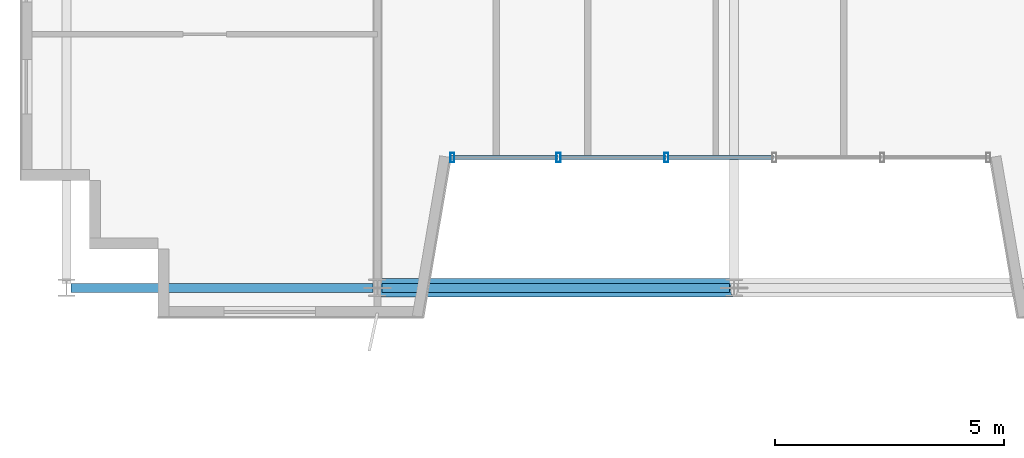
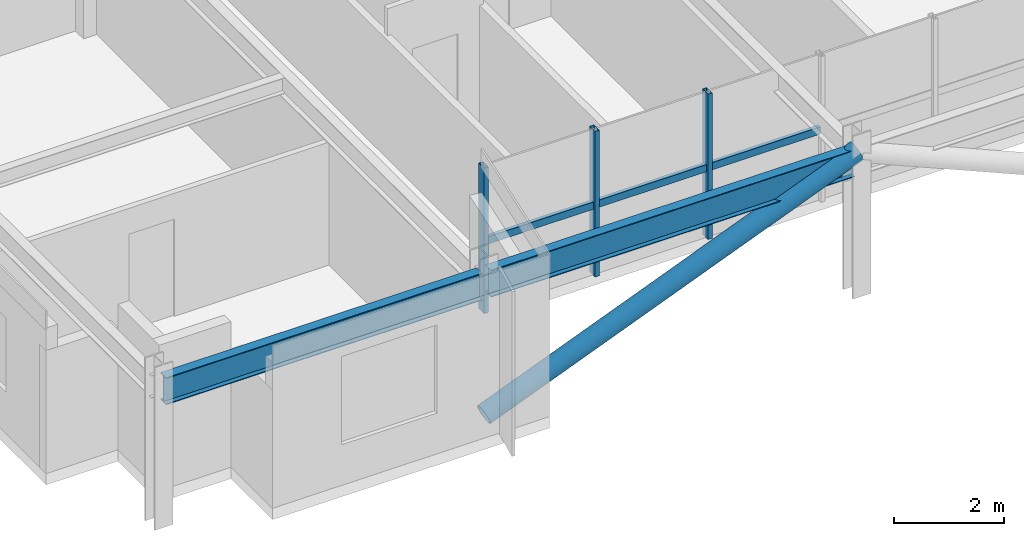
# One storey, part 3 of 24: 7 members, 2 beams, 1 element without a shape of its own.
"""IFC4 building model written with IfcOpenShell, lengths in metres."""

from ifc_helpers import new_model, si_unit, direction, frame, origin, origin_2d, place, context, subcontext, project, spatial, hollow_rectangle, hollow_circle, i_section, extrude, source, transform, mapped, material, material_profile, profile_set, type_object, element, aggregate, save


model = new_model("IFC4")

# Units and contexts
model_context = context("Model", 3, precision=1e-05, world=origin(), true_north=direction((0.0, 1.0)))
body_context = subcontext(model_context, "Body", "Model", "MODEL_VIEW")
ifc_project = project(units=[si_unit("LENGTHUNIT", "METRE"), si_unit("AREAUNIT", "SQUARE_METRE"), si_unit("VOLUMEUNIT", "CUBIC_METRE"), si_unit("PLANEANGLEUNIT", "RADIAN"), si_unit("MASSUNIT", "GRAM", prefix="KILO")], contexts=[model_context])

# Site, building, storey
site_placement = place(None, origin())
site = spatial("IfcSite", under=ifc_project, at=site_placement, CompositionType="ELEMENT")
building_placement = place(site_placement, origin())
building = spatial("IfcBuilding", under=site, at=building_placement, Name="Trelvane Seafront Commons", CompositionType="ELEMENT")
storey_placement = place(building_placement, frame((0.0, 0.0, 178.89990234375)))
storey = spatial("IfcBuildingStorey", under=building, at=storey_placement, Name="L47", CompositionType="ELEMENT", Elevation=178.89990234375)

# Beams
ifc_material_1 = material(Name="Steel SM355 (S355)", Category="steel")
ifc_material_profile_1 = material_profile(ifc_material_1, i_section(OverallWidth=0.199951171875, OverallDepth=0.60009765625, WebThickness=0.010986328125, FlangeThickness=0.01708984375, at=origin_2d()), Name="H-600x200x11x17")
ifc_profile_set_1 = profile_set([ifc_material_profile_1], Name="Steel SM355 (S355)")
beam_type = type_object("IfcBeamType", Name="STR-SPD-H600", PredefinedType="SPANDREL", material=ifc_profile_set_1)
shared_shape_1 = source(origin(), body_context, "Body", "SweptSolid", [
    extrude(i_section(OverallWidth=0.199951171875, OverallDepth=0.60009765625, WebThickness=0.010986328125, FlangeThickness=0.01708984375, at=origin_2d()), origin(), (0.0, 0.0, 1.0), 6.60986328125),
])
beam_1_placement = place(storey_placement, frame((8.89501953125, 3.949951171875, 2.920166015625), z_axis=(1.0, 0.0, 0.0), x_axis=(0.0, 1.0, 0.0)))
element("IfcBeam", 1, at=beam_1_placement, inside=storey, type_object=beam_type, Name="L47 Primary Girder G-01", PredefinedType="SPANDREL", context=body_context, shape_type="MappedRepresentation", body=[
    mapped(shared_shape_1, transform((0.0, 0.0, 0.0), x_axis=(1.0, 0.0, 0.0), y_axis=(0.0, 1.0, 0.0), z_axis=(0.0, 0.0, 1.0), scale=1.0)),
])
shared_shape_2 = source(origin(), body_context, "Body", "SweptSolid", [
    extrude(i_section(OverallWidth=0.199951171875, OverallDepth=0.60009765625, WebThickness=0.010986328125, FlangeThickness=0.01708984375, at=origin_2d()), origin(), (0.0, 0.0, 1.0), 7.60986328125),
])
beam_2_placement = place(storey_placement, frame((15.695068359375, 3.949951171875, 2.920166015625), z_axis=(1.0, 0.0, 0.0), x_axis=(0.0, 1.0, 0.0)))
element("IfcBeam", 2, at=beam_2_placement, inside=storey, type_object=beam_type, Name="L47 Primary Girder G-02", PredefinedType="SPANDREL", context=body_context, shape_type="MappedRepresentation", body=[
    mapped(shared_shape_2, transform((0.0, 0.0, 0.0), x_axis=(1.0, 0.0, 0.0), y_axis=(0.0, 1.0, 0.0), z_axis=(0.0, 0.0, 1.0), scale=1.0)),
])

# Member
ifc_material_profile_2 = material_profile(ifc_material_1, hollow_circle(Radius=0.203125, WallThickness=0.01611328125, at=origin_2d()), Name="CHS-406.4x16")
ifc_profile_set_2 = profile_set([ifc_material_profile_2], Name="Steel SM355 (S355)")
member_type_1 = type_object("IfcMemberType", Name="STR-STR-CHS406", PredefinedType="STRUT", material=ifc_profile_set_2)
shared_shape_3 = source(origin(), body_context, "Body", "SweptSolid", [
    extrude(hollow_circle(Radius=0.203125, WallThickness=0.01611328125, at=origin_2d()), origin(), (0.0, 0.0, 1.0), 8.393310546875),
])
member_1_placement = place(storey_placement, frame((15.60009765625, 3.949951171875, 0.0), z_axis=(0.92928890957, 0.0, 0.369353655118), x_axis=(0.0, 1.0, 0.0)))
element("IfcMember", 3, at=member_1_placement, inside=storey, type_object=member_type_1, Name="L47 Sky-Garden V-Chevron Brace SGV-W", PredefinedType="STRUT", context=body_context, shape_type="MappedRepresentation", body=[
    mapped(shared_shape_3, transform((0.0, 0.0, 0.0), x_axis=(1.0, 0.0, 0.0), y_axis=(0.0, 1.0, 0.0), z_axis=(0.0, 0.0, 1.0), scale=1.0)),
])

# Curtain wall, members
ifc_material_2 = material(Name="Anodised pale-silver aluminium", Category="aluminium")
curtain_wall_type = type_object("IfcCurtainWallType", Name="ARCH-CW3-PORTAL", PredefinedType="NOTDEFINED", material=ifc_material_2)
curtain_wall_placement = place(storey_placement, origin())
curtain_wall = element("IfcCurtainWall", 4, at=curtain_wall_placement, inside=storey, type_object=curtain_wall_type, Name="CW-L47-VN-0076", PredefinedType="NOTDEFINED")
ifc_material_profile_3 = material_profile(ifc_material_2, hollow_rectangle(XDim=0.080078125, YDim=0.159912109375, WallThickness=0.00439453125, at=origin_2d()), Name="TRAN-80x160x4.5")
ifc_profile_set_3 = profile_set([ifc_material_profile_3], Name="Anodised pale-silver aluminium")
member_type_2 = type_object("IfcMemberType", Name="ARCH-CW-TRAN-160", PredefinedType="USERDEFINED", material=ifc_profile_set_3)
shared_shape_4 = source(origin(), body_context, "Body", "SweptSolid", [
    extrude(hollow_rectangle(XDim=0.080078125, YDim=0.159912109375, WallThickness=0.00439453125, at=origin_2d()), origin(), (0.0, 0.0, 1.0), 2.3359375),
])
member_2_placement = place(storey_placement, frame((21.907958984375, 6.800048828125, 1.546142578125), z_axis=(-1.0, 0.0, 0.0), x_axis=(0.0, -1.0, 0.0)))
member_2 = element("IfcMember", 5, at=member_2_placement, type_object=member_type_2, Name="CW-L47-VN-0076-T03", ObjectType="TRANSOM", PredefinedType="USERDEFINED", context=body_context, shape_type="MappedRepresentation", body=[
    mapped(shared_shape_4, transform((0.0, 0.0, 0.0), x_axis=(1.0, 0.0, 0.0), y_axis=(0.0, 1.0, 0.0), z_axis=(0.0, 0.0, 1.0), scale=1.0)),
])
shared_shape_5 = source(origin(), body_context, "Body", "SweptSolid", [
    extrude(hollow_rectangle(XDim=0.080078125, YDim=0.159912109375, WallThickness=0.00439453125, at=origin_2d()), origin(), (0.0, 0.0, 1.0), 2.336181640625),
])
member_3_placement = place(storey_placement, frame((24.26806640625, 6.800048828125, 1.546142578125), z_axis=(-1.0, 0.0, 0.0), x_axis=(0.0, -1.0, 0.0)))
member_3 = element("IfcMember", 6, at=member_3_placement, type_object=member_type_2, Name="CW-L47-VN-0076-T02", ObjectType="TRANSOM", PredefinedType="USERDEFINED", context=body_context, shape_type="MappedRepresentation", body=[
    mapped(shared_shape_5, transform((0.0, 0.0, 0.0), x_axis=(1.0, 0.0, 0.0), y_axis=(0.0, 1.0, 0.0), z_axis=(0.0, 0.0, 1.0), scale=1.0)),
])
member_4_placement = place(storey_placement, frame((19.548095703125, 6.800048828125, 1.546142578125), z_axis=(-1.0, 0.0, 0.0), x_axis=(0.0, -1.0, 0.0)))
member_4 = element("IfcMember", 7, at=member_4_placement, type_object=member_type_2, Name="CW-L47-VN-0076-T04", ObjectType="TRANSOM", PredefinedType="USERDEFINED", context=body_context, shape_type="MappedRepresentation", body=[
    mapped(shared_shape_5, transform((0.0, 0.0, 0.0), x_axis=(1.0, 0.0, 0.0), y_axis=(0.0, 1.0, 0.0), z_axis=(0.0, 0.0, 1.0), scale=1.0)),
])
ifc_material_profile_4 = material_profile(ifc_material_2, hollow_rectangle(XDim=0.090087890625, YDim=0.199951171875, WallThickness=0.0048828125, at=origin_2d()), Name="MULL-90x200x5")
ifc_profile_set_4 = profile_set([ifc_material_profile_4], Name="Anodised pale-silver aluminium")
member_type_3 = type_object("IfcMemberType", Name="ARCH-CW-MULL-200", PredefinedType="MULLION", material=ifc_profile_set_4)
shared_shape_6 = source(origin(), body_context, "Body", "SweptSolid", [
    extrude(hollow_rectangle(XDim=0.090087890625, YDim=0.199951171875, WallThickness=0.0048828125, at=origin_2d()), origin(), (0.0, 0.0, 1.0), 3.22021484375),
])
member_5_placement = place(storey_placement, frame((21.919921875, 6.800048828125, 0.0), z_axis=(0.0, 0.0, 1.0), x_axis=(1.0, 0.0, 0.0)))
member_5 = element("IfcMember", 8, at=member_5_placement, type_object=member_type_3, Name="CW-L47-VN-0076-M03", PredefinedType="MULLION", context=body_context, shape_type="MappedRepresentation", body=[
    mapped(shared_shape_6, transform((0.0, 0.0, 0.0), x_axis=(1.0, 0.0, 0.0), y_axis=(0.0, 1.0, 0.0), z_axis=(0.0, 0.0, 1.0), scale=1.0)),
])
member_6_placement = place(storey_placement, frame((19.56005859375, 6.800048828125, 0.0), z_axis=(0.0, 0.0, 1.0), x_axis=(1.0, 0.0, 0.0)))
member_6 = element("IfcMember", 9, at=member_6_placement, type_object=member_type_3, Name="CW-L47-VN-0076-M04", PredefinedType="MULLION", context=body_context, shape_type="MappedRepresentation", body=[
    mapped(shared_shape_6, transform((0.0, 0.0, 0.0), x_axis=(1.0, 0.0, 0.0), y_axis=(0.0, 1.0, 0.0), z_axis=(0.0, 0.0, 1.0), scale=1.0)),
])
member_7_placement = place(storey_placement, frame((17.239990234375, 6.800048828125, 0.0), z_axis=(0.0, 0.0, 1.0), x_axis=(1.0, 0.0, 0.0)))
member_7 = element("IfcMember", 10, at=member_7_placement, type_object=member_type_3, Name="CW-L47-VN-0076-M05", PredefinedType="MULLION", context=body_context, shape_type="MappedRepresentation", body=[
    mapped(shared_shape_6, transform((0.0, 0.0, 0.0), x_axis=(1.0, 0.0, 0.0), y_axis=(0.0, 1.0, 0.0), z_axis=(0.0, 0.0, 1.0), scale=1.0)),
])
aggregate(curtain_wall, [member_5, member_6, member_7, member_3, member_2, member_4])

save(model, "model.ifc")
